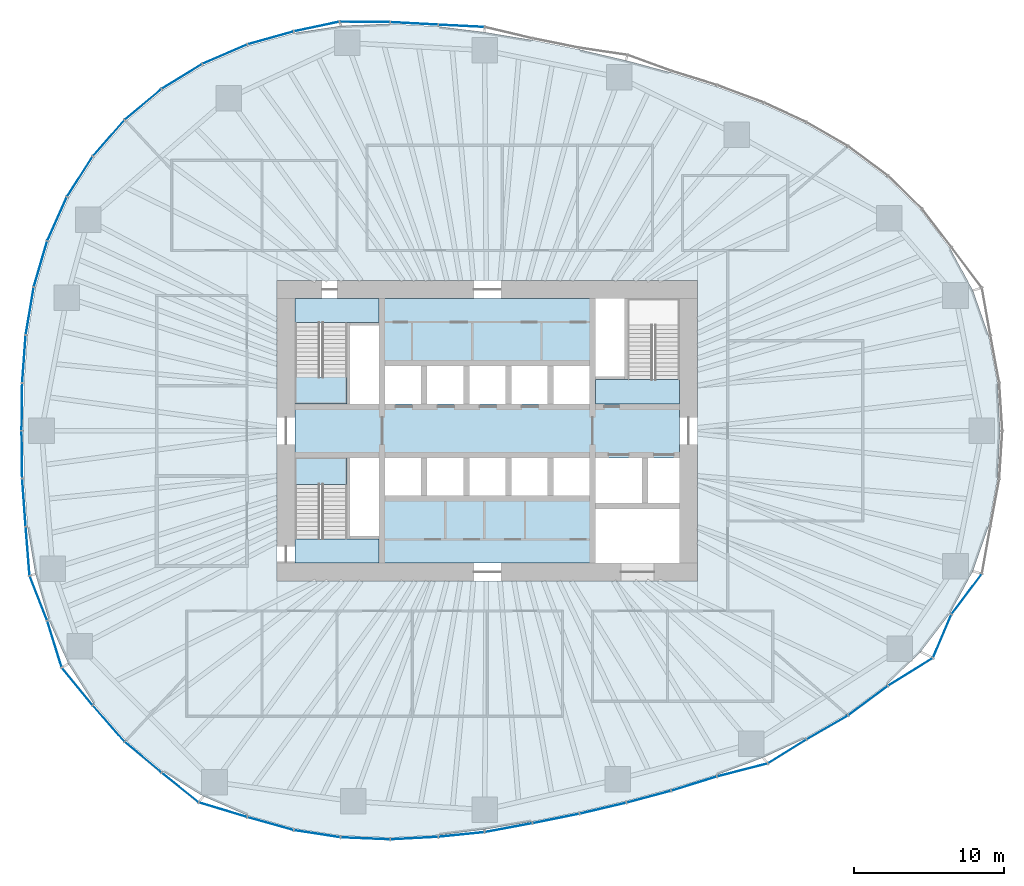
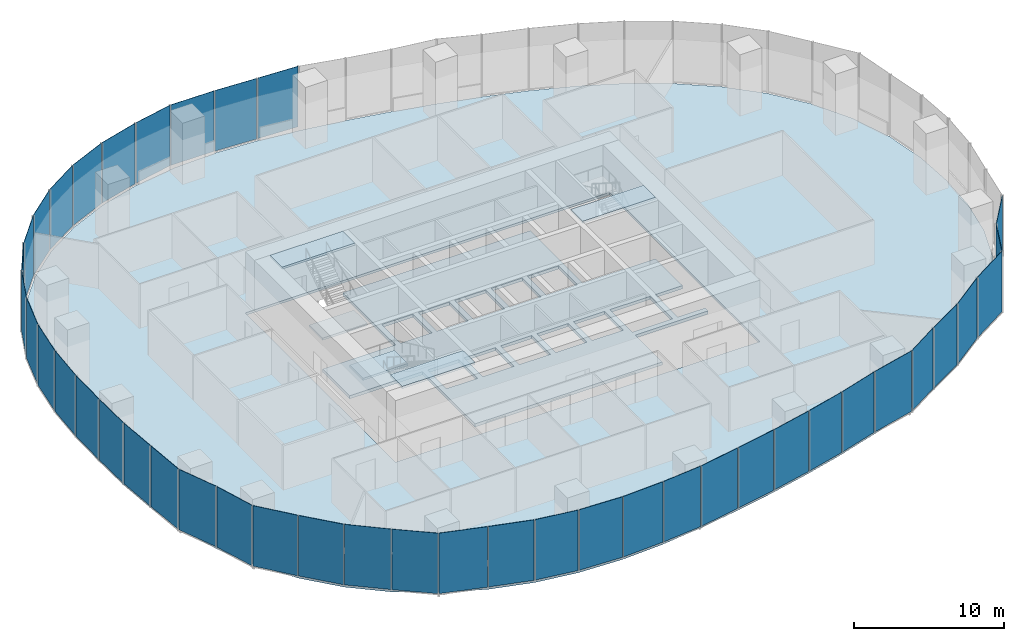
# One storey, part 8 of 20: 42 plates, 7 slabs, 17 elements without a shape of their own.
"""IFC4 building model written with IfcOpenShell, lengths in metres."""

from ifc_helpers import new_model, si_unit, direction, frame, origin, origin_2d, place, context, subcontext, project, spatial, polyline, rectangle, outline, extrude, material, layer, layer_set, type_object, element, aggregate, save


model = new_model("IFC4")

# Units and contexts
model_context = context("Model", 3, precision=1e-05, world=origin(), true_north=direction((0.0, 1.0)))
body_context = subcontext(model_context, "Body", "Model", "MODEL_VIEW")
ifc_project = project(units=[si_unit("LENGTHUNIT", "METRE"), si_unit("AREAUNIT", "SQUARE_METRE"), si_unit("VOLUMEUNIT", "CUBIC_METRE"), si_unit("PLANEANGLEUNIT", "RADIAN"), si_unit("MASSUNIT", "GRAM", prefix="KILO")], contexts=[model_context])

# Site, building, storey
site_placement = place(None, origin())
site = spatial("IfcSite", under=ifc_project, at=site_placement, CompositionType="ELEMENT")
building_placement = place(site_placement, origin())
building = spatial("IfcBuilding", under=site, at=building_placement, Name="Ghaith Harvest Tower", CompositionType="ELEMENT")
storey_placement = place(building_placement, frame((0.0, 0.0, 55.0)))
storey = spatial("IfcBuildingStorey", under=building, at=storey_placement, Name="L11", CompositionType="ELEMENT", Elevation=55.0)

# Curtain wall, plates
ifc_material_1 = material(Name="Black anodised aluminium and fritted glass", Category="aluminium")
curtain_wall_type = type_object("IfcCurtainWallType", Name="CW-F CURTAIN WALL", PredefinedType="NOTDEFINED", material=ifc_material_1)
curtain_wall_1_placement = place(storey_placement, origin())
curtain_wall_1 = element("IfcCurtainWall", 1, at=curtain_wall_1_placement, inside=storey, type_object=curtain_wall_type, Name="Curtain wall CW-F bay 06 L11", PredefinedType="NOTDEFINED")
ifc_material_2 = material(Name="Glass, high-transmission fritted double glazed unit", Category="glass")
ifc_layer_1 = layer(ifc_material_2, 0.028076171875)
ifc_layer_set_1 = layer_set([ifc_layer_1], Name="CW-F VISION PANEL")
plate_type = type_object("IfcPlateType", Name="CW-F VISION PANEL", PredefinedType="CURTAIN_PANEL", material=ifc_layer_set_1)
plate_1_placement = place(storey_placement, frame((-1.722900390625, 26.953369140625, 0.080078125), z_axis=(0.0, 0.0, 1.0), x_axis=(-0.998771443485, 0.049554048048, 0.0)))
plate_1 = element("IfcPlate", 2, at=plate_1_placement, type_object=plate_type, Name="CW-F panel 1 bay 06 L11", PredefinedType="CURTAIN_PANEL", context=body_context, shape_type="SweptSolid", body=[
    extrude(rectangle(XDim=3.001708984375, YDim=0.028076171875, at=origin_2d()), origin(), (0.0, 0.0, 1.0), 4.919921875),
])
plate_2_placement = place(storey_placement, frame((-4.863525390625, 27.11572265625, 0.080078125), z_axis=(0.0, 0.0, 1.0), x_axis=(-0.99856250263, 0.053599704667, 0.0)))
plate_2 = element("IfcPlate", 3, at=plate_2_placement, type_object=plate_type, Name="CW-F panel 2 bay 06 L11", PredefinedType="CURTAIN_PANEL", context=body_context, shape_type="SweptSolid", body=[
    extrude(rectangle(XDim=3.1279296875, YDim=0.028076171875, at=origin_2d()), origin(), (0.0, 0.0, 1.0), 4.919921875),
])
plate_3_placement = place(storey_placement, frame((-8.150390625, 27.217041015625, 0.080078125), z_axis=(0.0, 0.0, 1.0), x_axis=(-0.999959609481, 0.008987736446, 0.0)))
plate_3 = element("IfcPlate", 4, at=plate_3_placement, type_object=plate_type, Name="CW-F panel 3 bay 06 L11", PredefinedType="CURTAIN_PANEL", context=body_context, shape_type="SweptSolid", body=[
    extrude(rectangle(XDim=3.29052734375, YDim=0.028076171875, at=origin_2d()), origin(), (0.0, 0.0, 1.0), 4.919921875),
])
aggregate(curtain_wall_1, [plate_1, plate_2, plate_3])

curtain_wall_2_placement = place(storey_placement, origin())
curtain_wall_2 = element("IfcCurtainWall", 5, at=curtain_wall_2_placement, inside=storey, type_object=curtain_wall_type, Name="Curtain wall CW-F bay 07 L11", PredefinedType="NOTDEFINED")
plate_4_placement = place(storey_placement, frame((-11.358154296875, 26.908447265625, 0.080078125), z_axis=(0.0, 0.0, 1.0), x_axis=(-0.978149320779, -0.207903598476, 0.0)))
plate_4 = element("IfcPlate", 6, at=plate_4_placement, type_object=plate_type, Name="CW-F panel 1 bay 07 L11", PredefinedType="CURTAIN_PANEL", context=body_context, shape_type="SweptSolid", body=[
    extrude(rectangle(XDim=3.032958984375, YDim=0.028076171875, at=origin_2d()), origin(), (0.0, 0.0, 1.0), 4.919921875),
])
plate_5_placement = place(storey_placement, frame((-14.42578125, 26.150634765625, 0.080078125), z_axis=(0.0, 0.0, 1.0), x_axis=(-0.96272968243, -0.270465448012, 0.0)))
plate_5 = element("IfcPlate", 7, at=plate_5_placement, type_object=plate_type, Name="CW-F panel 2 bay 07 L11", PredefinedType="CURTAIN_PANEL", context=body_context, shape_type="SweptSolid", body=[
    extrude(rectangle(XDim=3.13037109375, YDim=0.028076171875, at=origin_2d()), origin(), (0.0, 0.0, 1.0), 4.919921875),
])
plate_6_placement = place(storey_placement, frame((-17.46923828125, 25.0693359375, 0.080078125), z_axis=(0.0, 0.0, 1.0), x_axis=(-0.918002845228, -0.396573796605, 0.0)))
plate_6 = element("IfcPlate", 8, at=plate_6_placement, type_object=plate_type, Name="CW-F panel 3 bay 07 L11", PredefinedType="CURTAIN_PANEL", context=body_context, shape_type="SweptSolid", body=[
    extrude(rectangle(XDim=3.18359375, YDim=0.028076171875, at=origin_2d()), origin(), (0.0, 0.0, 1.0), 4.919921875),
])
aggregate(curtain_wall_2, [plate_4, plate_5, plate_6])

curtain_wall_3_placement = place(storey_placement, origin())
curtain_wall_3 = element("IfcCurtainWall", 9, at=curtain_wall_3_placement, inside=storey, type_object=curtain_wall_type, Name="Curtain wall CW-F bay 08 L11", PredefinedType="NOTDEFINED")
plate_7_placement = place(storey_placement, frame((-20.324462890625, 23.590087890625, 0.080078125), z_axis=(0.0, 0.0, 1.0), x_axis=(-0.852527741552, -0.522681977769, 0.0)))
plate_7 = element("IfcPlate", 10, at=plate_7_placement, type_object=plate_type, Name="CW-F panel 1 bay 08 L11", PredefinedType="CURTAIN_PANEL", context=body_context, shape_type="SweptSolid", body=[
    extrude(rectangle(XDim=3.10400390625, YDim=0.028076171875, at=origin_2d()), origin(), (0.0, 0.0, 1.0), 4.919921875),
])
plate_8_placement = place(storey_placement, frame((-22.91064453125, 21.727294921875, 0.080078125), z_axis=(0.0, 0.0, 1.0), x_axis=(-0.766155215147, -0.642655573619, 0.0)))
plate_8 = element("IfcPlate", 11, at=plate_8_placement, type_object=plate_type, Name="CW-F panel 2 bay 08 L11", PredefinedType="CURTAIN_PANEL", context=body_context, shape_type="SweptSolid", body=[
    extrude(rectangle(XDim=3.1279296875, YDim=0.028076171875, at=origin_2d()), origin(), (0.0, 0.0, 1.0), 4.919921875),
])
plate_9_placement = place(storey_placement, frame((-25.201171875, 19.4853515625, 0.080078125), z_axis=(0.0, 0.0, 1.0), x_axis=(-0.659215937547, -0.751953687194, 0.0)))
plate_9 = element("IfcPlate", 12, at=plate_9_placement, type_object=plate_type, Name="CW-F panel 3 bay 08 L11", PredefinedType="CURTAIN_PANEL", context=body_context, shape_type="SweptSolid", body=[
    extrude(rectangle(XDim=3.1416015625, YDim=0.028076171875, at=origin_2d()), origin(), (0.0, 0.0, 1.0), 4.919921875),
])
aggregate(curtain_wall_3, [plate_7, plate_8, plate_9])

curtain_wall_4_placement = place(storey_placement, origin())
curtain_wall_4 = element("IfcCurtainWall", 13, at=curtain_wall_4_placement, inside=storey, type_object=curtain_wall_type, Name="Curtain wall CW-F bay 09 L11", PredefinedType="NOTDEFINED")
plate_10_placement = place(storey_placement, frame((-27.124755859375, 16.919677734375, 0.080078125), z_axis=(0.0, 0.0, 1.0), x_axis=(-0.536779195227, -0.843722759899, 0.0)))
plate_10 = element("IfcPlate", 14, at=plate_10_placement, type_object=plate_type, Name="CW-F panel 1 bay 09 L11", PredefinedType="CURTAIN_PANEL", context=body_context, shape_type="SweptSolid", body=[
    extrude(rectangle(XDim=3.13037109375, YDim=0.028076171875, at=origin_2d()), origin(), (0.0, 0.0, 1.0), 4.919921875),
])
plate_11_placement = place(storey_placement, frame((-28.639404296875, 14.100341796875, 0.080078125), z_axis=(0.0, 0.0, 1.0), x_axis=(-0.407134417018, -0.913368253488, 0.0)))
plate_11 = element("IfcPlate", 15, at=plate_11_placement, type_object=plate_type, Name="CW-F panel 2 bay 09 L11", PredefinedType="CURTAIN_PANEL", context=body_context, shape_type="SweptSolid", body=[
    extrude(rectangle(XDim=3.1279296875, YDim=0.028076171875, at=origin_2d()), origin(), (0.0, 0.0, 1.0), 4.919921875),
])
plate_12_placement = place(storey_placement, frame((-29.740478515625, 11.101318359375, 0.080078125), z_axis=(0.0, 0.0, 1.0), x_axis=(-0.280296918708, -0.959913348882, 0.0)))
plate_12 = element("IfcPlate", 16, at=plate_12_placement, type_object=plate_type, Name="CW-F panel 3 bay 09 L11", PredefinedType="CURTAIN_PANEL", context=body_context, shape_type="SweptSolid", body=[
    extrude(rectangle(XDim=3.1162109375, YDim=0.028076171875, at=origin_2d()), origin(), (0.0, 0.0, 1.0), 4.919921875),
])
aggregate(curtain_wall_4, [plate_10, plate_11, plate_12])

curtain_wall_5_placement = place(storey_placement, origin())
curtain_wall_5 = element("IfcCurtainWall", 17, at=curtain_wall_5_placement, inside=storey, type_object=curtain_wall_type, Name="Curtain wall CW-F bay 10 L11", PredefinedType="NOTDEFINED")
plate_13_placement = place(storey_placement, frame((-30.456298828125, 7.971435546875, 0.080078125), z_axis=(0.0, 0.0, 1.0), x_axis=(-0.165581316368, -0.986196140567, 0.0)))
plate_13 = element("IfcPlate", 18, at=plate_13_placement, type_object=plate_type, Name="CW-F panel 1 bay 10 L11", PredefinedType="CURTAIN_PANEL", context=body_context, shape_type="SweptSolid", body=[
    extrude(rectangle(XDim=3.156494140625, YDim=0.028076171875, at=origin_2d()), origin(), (0.0, 0.0, 1.0), 4.919921875),
])
plate_14_placement = place(storey_placement, frame((-30.84033203125, 4.77685546875, 0.080078125), z_axis=(0.0, 0.0, 1.0), x_axis=(-0.072420546123, -0.997374184797, 0.0)))
plate_14 = element("IfcPlate", 19, at=plate_14_placement, type_object=plate_type, Name="CW-F panel 2 bay 10 L11", PredefinedType="CURTAIN_PANEL", context=body_context, shape_type="SweptSolid", body=[
    extrude(rectangle(XDim=3.1259765625, YDim=0.028076171875, at=origin_2d()), origin(), (0.0, 0.0, 1.0), 4.919921875),
])
plate_15_placement = place(storey_placement, frame((-30.975830078125, 1.589111328125, 0.080078125), z_axis=(0.0, 0.0, 1.0), x_axis=(-0.012133206476, -0.999926389941, 0.0)))
plate_15 = element("IfcPlate", 20, at=plate_15_placement, type_object=plate_type, Name="CW-F panel 3 bay 10 L11", PredefinedType="CURTAIN_PANEL", context=body_context, shape_type="SweptSolid", body=[
    extrude(rectangle(XDim=3.09814453125, YDim=0.028076171875, at=origin_2d()), origin(), (0.0, 0.0, 1.0), 4.919921875),
])
aggregate(curtain_wall_5, [plate_13, plate_14, plate_15])

curtain_wall_6_placement = place(storey_placement, origin())
curtain_wall_6 = element("IfcCurtainWall", 21, at=curtain_wall_6_placement, inside=storey, type_object=curtain_wall_type, Name="Curtain wall CW-F bay 11 L11", PredefinedType="NOTDEFINED")
plate_16_placement = place(storey_placement, frame((-30.975830078125, -1.589111328125, 0.080078125), z_axis=(0.0, 0.0, 1.0), x_axis=(0.012133206773, -0.999926389937, 0.0)))
plate_16 = element("IfcPlate", 22, at=plate_16_placement, type_object=plate_type, Name="CW-F panel 1 bay 11 L11", PredefinedType="CURTAIN_PANEL", context=body_context, shape_type="SweptSolid", body=[
    extrude(rectangle(XDim=3.09814453125, YDim=0.028076171875, at=origin_2d()), origin(), (0.0, 0.0, 1.0), 4.919921875),
])
plate_17_placement = place(storey_placement, frame((-30.84033203125, -4.77685546875, 0.080078125), z_axis=(0.0, 0.0, 1.0), x_axis=(0.072420546349, -0.99737418478, 0.0)))
plate_17 = element("IfcPlate", 23, at=plate_17_placement, type_object=plate_type, Name="CW-F panel 2 bay 11 L11", PredefinedType="CURTAIN_PANEL", context=body_context, shape_type="SweptSolid", body=[
    extrude(rectangle(XDim=3.1259765625, YDim=0.028076171875, at=origin_2d()), origin(), (0.0, 0.0, 1.0), 4.919921875),
])
plate_18_placement = place(storey_placement, frame((-30.594482421875, -8.01513671875, 0.080078125), z_axis=(0.0, 0.0, 1.0), x_axis=(0.078867084181, -0.996885140341, 0.0)))
plate_18 = element("IfcPlate", 24, at=plate_18_placement, type_object=plate_type, Name="CW-F panel 3 bay 11 L11", PredefinedType="CURTAIN_PANEL", context=body_context, shape_type="SweptSolid", body=[
    extrude(rectangle(XDim=3.209716796875, YDim=0.028076171875, at=origin_2d()), origin(), (0.0, 0.0, 1.0), 4.919921875),
])
aggregate(curtain_wall_6, [plate_16, plate_17, plate_18])

curtain_wall_7_placement = place(storey_placement, origin())
curtain_wall_7 = element("IfcCurtainWall", 25, at=curtain_wall_7_placement, inside=storey, type_object=curtain_wall_type, Name="Curtain wall CW-F bay 12 L11", PredefinedType="NOTDEFINED")
plate_19_placement = place(storey_placement, frame((-29.878662109375, -11.14501953125, 0.080078125), z_axis=(0.0, 0.0, 1.0), x_axis=(0.366039738151, -0.930599220983, 0.0)))
plate_19 = element("IfcPlate", 26, at=plate_19_placement, type_object=plate_type, Name="CW-F panel 1 bay 12 L11", PredefinedType="CURTAIN_PANEL", context=body_context, shape_type="SweptSolid", body=[
    extrude(rectangle(XDim=3.122802734375, YDim=0.028076171875, at=origin_2d()), origin(), (0.0, 0.0, 1.0), 4.919921875),
])
plate_20_placement = place(storey_placement, frame((-28.809814453125, -14.195068359375, 0.080078125), z_axis=(0.0, 0.0, 1.0), x_axis=(0.295583054454, -0.95531704576, 0.0)))
plate_20 = element("IfcPlate", 27, at=plate_20_placement, type_object=plate_type, Name="CW-F panel 2 bay 12 L11", PredefinedType="CURTAIN_PANEL", context=body_context, shape_type="SweptSolid", body=[
    extrude(rectangle(XDim=3.185546875, YDim=0.028076171875, at=origin_2d()), origin(), (0.0, 0.0, 1.0), 4.919921875),
])
plate_21_placement = place(storey_placement, frame((-27.295166015625, -17.014404296875, 0.080078125), z_axis=(0.0, 0.0, 1.0), x_axis=(0.633789860881, -0.773505276158, 0.0)))
plate_21 = element("IfcPlate", 28, at=plate_21_placement, type_object=plate_type, Name="CW-F panel 3 bay 12 L11", PredefinedType="CURTAIN_PANEL", context=body_context, shape_type="SweptSolid", body=[
    extrude(rectangle(XDim=3.1767578125, YDim=0.028076171875, at=origin_2d()), origin(), (0.0, 0.0, 1.0), 4.919921875),
])
aggregate(curtain_wall_7, [plate_19, plate_20, plate_21])

curtain_wall_8_placement = place(storey_placement, origin())
curtain_wall_8 = element("IfcCurtainWall", 29, at=curtain_wall_8_placement, inside=storey, type_object=curtain_wall_type, Name="Curtain wall CW-F bay 13 L11", PredefinedType="NOTDEFINED")
plate_22_placement = place(storey_placement, frame((-25.201171875, -19.4853515625, 0.080078125), z_axis=(0.0, 0.0, 1.0), x_axis=(0.659215937337, -0.751953687378, 0.0)))
plate_22 = element("IfcPlate", 30, at=plate_22_placement, type_object=plate_type, Name="CW-F panel 1 bay 13 L11", PredefinedType="CURTAIN_PANEL", context=body_context, shape_type="SweptSolid", body=[
    extrude(rectangle(XDim=3.1416015625, YDim=0.028076171875, at=origin_2d()), origin(), (0.0, 0.0, 1.0), 4.919921875),
])
plate_23_placement = place(storey_placement, frame((-22.91064453125, -21.727294921875, 0.080078125), z_axis=(0.0, 0.0, 1.0), x_axis=(0.76615521545, -0.642655573258, 0.0)))
plate_23 = element("IfcPlate", 31, at=plate_23_placement, type_object=plate_type, Name="CW-F panel 2 bay 13 L11", PredefinedType="CURTAIN_PANEL", context=body_context, shape_type="SweptSolid", body=[
    extrude(rectangle(XDim=3.1279296875, YDim=0.028076171875, at=origin_2d()), origin(), (0.0, 0.0, 1.0), 4.919921875),
])
plate_24_placement = place(storey_placement, frame((-20.447265625, -23.748046875, 0.080078125), z_axis=(0.0, 0.0, 1.0), x_axis=(0.780122054158, -0.625627349639, 0.0)))
plate_24 = element("IfcPlate", 32, at=plate_24_placement, type_object=plate_type, Name="CW-F panel 3 bay 13 L11", PredefinedType="CURTAIN_PANEL", context=body_context, shape_type="SweptSolid", body=[
    extrude(rectangle(XDim=3.085205078125, YDim=0.028076171875, at=origin_2d()), origin(), (0.0, 0.0, 1.0), 4.919921875),
])
aggregate(curtain_wall_8, [plate_22, plate_23, plate_24])

curtain_wall_9_placement = place(storey_placement, origin())
curtain_wall_9 = element("IfcCurtainWall", 33, at=curtain_wall_9_placement, inside=storey, type_object=curtain_wall_type, Name="Curtain wall CW-F bay 14 L11", PredefinedType="NOTDEFINED")
plate_25_placement = place(storey_placement, frame((-17.591796875, -25.227294921875, 0.080078125), z_axis=(0.0, 0.0, 1.0), x_axis=(0.95734234218, -0.288956121011, 0.0)))
plate_25 = element("IfcPlate", 34, at=plate_25_placement, type_object=plate_type, Name="CW-F panel 1 bay 14 L11", PredefinedType="CURTAIN_PANEL", context=body_context, shape_type="SweptSolid", body=[
    extrude(rectangle(XDim=3.3056640625, YDim=0.028076171875, at=origin_2d()), origin(), (0.0, 0.0, 1.0), 4.919921875),
])
plate_26_placement = place(storey_placement, frame((-14.42578125, -26.150634765625, 0.080078125), z_axis=(0.0, 0.0, 1.0), x_axis=(0.962729682704, -0.270465447038, 0.0)))
plate_26 = element("IfcPlate", 35, at=plate_26_placement, type_object=plate_type, Name="CW-F panel 2 bay 14 L11", PredefinedType="CURTAIN_PANEL", context=body_context, shape_type="SweptSolid", body=[
    extrude(rectangle(XDim=3.13037109375, YDim=0.028076171875, at=origin_2d()), origin(), (0.0, 0.0, 1.0), 4.919921875),
])
plate_27_placement = place(storey_placement, frame((-11.327392578125, -26.82373046875, 0.080078125), z_axis=(0.0, 0.0, 1.0), x_axis=(0.98836987371, -0.152069039392, 0.0)))
plate_27 = element("IfcPlate", 36, at=plate_27_placement, type_object=plate_type, Name="CW-F panel 3 bay 14 L11", PredefinedType="CURTAIN_PANEL", context=body_context, shape_type="SweptSolid", body=[
    extrude(rectangle(XDim=3.0625, YDim=0.028076171875, at=origin_2d()), origin(), (0.0, 0.0, 1.0), 4.919921875),
])
aggregate(curtain_wall_9, [plate_25, plate_26, plate_27])

curtain_wall_10_placement = place(storey_placement, origin())
curtain_wall_10 = element("IfcCurtainWall", 37, at=curtain_wall_10_placement, inside=storey, type_object=curtain_wall_type, Name="Curtain wall CW-F bay 15 L11", PredefinedType="NOTDEFINED")
plate_28_placement = place(storey_placement, frame((-8.119873046875, -27.13232421875, 0.080078125), z_axis=(0.0, 0.0, 1.0), x_axis=(0.999118988518, -0.041967210794, 0.0)))
plate_28 = element("IfcPlate", 38, at=plate_28_placement, type_object=plate_type, Name="CW-F panel 1 bay 15 L11", PredefinedType="CURTAIN_PANEL", context=body_context, shape_type="SweptSolid", body=[
    extrude(rectangle(XDim=3.232177734375, YDim=0.028076171875, at=origin_2d()), origin(), (0.0, 0.0, 1.0), 4.919921875),
])
plate_29_placement = place(storey_placement, frame((-4.863525390625, -27.11572265625, 0.080078125), z_axis=(0.0, 0.0, 1.0), x_axis=(0.998562502616, 0.053599704928, 0.0)))
plate_29 = element("IfcPlate", 39, at=plate_29_placement, type_object=plate_type, Name="CW-F panel 2 bay 15 L11", PredefinedType="CURTAIN_PANEL", context=body_context, shape_type="SweptSolid", body=[
    extrude(rectangle(XDim=3.1279296875, YDim=0.028076171875, at=origin_2d()), origin(), (0.0, 0.0, 1.0), 4.919921875),
])
plate_30_placement = place(storey_placement, frame((-1.722412109375, -26.87353515625, 0.080078125), z_axis=(0.0, 0.0, 1.0), x_axis=(0.99488222177, 0.101041401443, 0.0)))
plate_30 = element("IfcPlate", 40, at=plate_30_placement, type_object=plate_type, Name="CW-F panel 3 bay 15 L11", PredefinedType="CURTAIN_PANEL", context=body_context, shape_type="SweptSolid", body=[
    extrude(rectangle(XDim=3.014892578125, YDim=0.028076171875, at=origin_2d()), origin(), (0.0, 0.0, 1.0), 4.919921875),
])
aggregate(curtain_wall_10, [plate_28, plate_29, plate_30])

curtain_wall_11_placement = place(storey_placement, origin())
curtain_wall_11 = element("IfcCurtainWall", 41, at=curtain_wall_11_placement, inside=storey, type_object=curtain_wall_type, Name="Curtain wall CW-F bay 16 L11", PredefinedType="NOTDEFINED")
plate_31_placement = place(storey_placement, frame((1.4130859375, -26.420166015625, 0.080078125), z_axis=(0.0, 0.0, 1.0), x_axis=(0.983131230266, 0.182901569365, 0.0)))
plate_31 = element("IfcPlate", 42, at=plate_31_placement, type_object=plate_type, Name="CW-F panel 1 bay 16 L11", PredefinedType="CURTAIN_PANEL", context=body_context, shape_type="SweptSolid", body=[
    extrude(rectangle(XDim=3.166748046875, YDim=0.028076171875, at=origin_2d()), origin(), (0.0, 0.0, 1.0), 4.919921875),
])
plate_32_placement = place(storey_placement, frame((4.5732421875, -25.809326171875, 0.080078125), z_axis=(0.0, 0.0, 1.0), x_axis=(0.98043234808, 0.196856320293, 0.0)))
plate_32 = element("IfcPlate", 43, at=plate_32_placement, type_object=plate_type, Name="CW-F panel 2 bay 16 L11", PredefinedType="CURTAIN_PANEL", context=body_context, shape_type="SweptSolid", body=[
    extrude(rectangle(XDim=3.1103515625, YDim=0.028076171875, at=origin_2d()), origin(), (0.0, 0.0, 1.0), 4.919921875),
])
plate_33_placement = place(storey_placement, frame((7.697265625, -25.129150390625, 0.080078125), z_axis=(0.0, 0.0, 1.0), x_axis=(0.973564757908, 0.228411169079, 0.0)))
plate_33 = element("IfcPlate", 44, at=plate_33_placement, type_object=plate_type, Name="CW-F panel 3 bay 16 L11", PredefinedType="CURTAIN_PANEL", context=body_context, shape_type="SweptSolid", body=[
    extrude(rectangle(XDim=3.125, YDim=0.028076171875, at=origin_2d()), origin(), (0.0, 0.0, 1.0), 4.919921875),
])
aggregate(curtain_wall_11, [plate_31, plate_32, plate_33])

curtain_wall_12_placement = place(storey_placement, origin())
curtain_wall_12 = element("IfcCurtainWall", 45, at=curtain_wall_12_placement, inside=storey, type_object=curtain_wall_type, Name="Curtain wall CW-F bay 17 L11", PredefinedType="NOTDEFINED")
plate_34_placement = place(storey_placement, frame((10.745849609375, -24.36376953125, 0.080078125), z_axis=(0.0, 0.0, 1.0), x_axis=(0.965848435029, 0.259107700681, 0.0)))
plate_34 = element("IfcPlate", 46, at=plate_34_placement, type_object=plate_type, Name="CW-F panel 1 bay 17 L11", PredefinedType="CURTAIN_PANEL", context=body_context, shape_type="SweptSolid", body=[
    extrude(rectangle(XDim=3.002197265625, YDim=0.028076171875, at=origin_2d()), origin(), (0.0, 0.0, 1.0), 4.919921875),
])
plate_35_placement = place(storey_placement, frame((13.760986328125, -23.490234375, 0.080078125), z_axis=(0.0, 0.0, 1.0), x_axis=(0.954988265447, 0.296643578827, 0.0)))
plate_35 = element("IfcPlate", 47, at=plate_35_placement, type_object=plate_type, Name="CW-F panel 2 bay 17 L11", PredefinedType="CURTAIN_PANEL", context=body_context, shape_type="SweptSolid", body=[
    extrude(rectangle(XDim=3.1171875, YDim=0.028076171875, at=origin_2d()), origin(), (0.0, 0.0, 1.0), 4.919921875),
])
plate_36_placement = place(storey_placement, frame((16.980712890625, -22.580322265625, 0.080078125), z_axis=(0.0, 0.0, 1.0), x_axis=(0.968451429434, 0.249202385275, 0.0)))
plate_36 = element("IfcPlate", 48, at=plate_36_placement, type_object=plate_type, Name="CW-F panel 3 bay 17 L11", PredefinedType="CURTAIN_PANEL", context=body_context, shape_type="SweptSolid", body=[
    extrude(rectangle(XDim=3.416748046875, YDim=0.028076171875, at=origin_2d()), origin(), (0.0, 0.0, 1.0), 4.919921875),
])
aggregate(curtain_wall_12, [plate_34, plate_35, plate_36])

curtain_wall_13_placement = place(storey_placement, origin())
curtain_wall_13 = element("IfcCurtainWall", 49, at=curtain_wall_13_placement, inside=storey, type_object=curtain_wall_type, Name="Curtain wall CW-F bay 18 L11", PredefinedType="NOTDEFINED")
plate_37_placement = place(storey_placement, frame((19.954833984375, -21.348876953125, 0.080078125), z_axis=(0.0, 0.0, 1.0), x_axis=(0.849360700005, 0.527812846837, 0.0)))
plate_37 = element("IfcPlate", 50, at=plate_37_placement, type_object=plate_type, Name="CW-F panel 1 bay 18 L11", PredefinedType="CURTAIN_PANEL", context=body_context, shape_type="SweptSolid", body=[
    extrude(rectangle(XDim=2.935791015625, YDim=0.028076171875, at=origin_2d()), origin(), (0.0, 0.0, 1.0), 4.919921875),
])
plate_38_placement = place(storey_placement, frame((22.626953125, -19.750244140625, 0.080078125), z_axis=(0.0, 0.0, 1.0), x_axis=(0.866159208454, 0.499768171866, 0.0)))
plate_38 = element("IfcPlate", 51, at=plate_38_placement, type_object=plate_type, Name="CW-F panel 2 bay 18 L11", PredefinedType="CURTAIN_PANEL", context=body_context, shape_type="SweptSolid", body=[
    extrude(rectangle(XDim=3.1328125, YDim=0.028076171875, at=origin_2d()), origin(), (0.0, 0.0, 1.0), 4.919921875),
])
plate_39_placement = place(storey_placement, frame((25.34619140625, -17.96142578125, 0.080078125), z_axis=(0.0, 0.0, 1.0), x_axis=(0.802866788713, 0.596158468515, 0.0)))
plate_39 = element("IfcPlate", 52, at=plate_39_placement, type_object=plate_type, Name="CW-F panel 3 bay 18 L11", PredefinedType="CURTAIN_PANEL", context=body_context, shape_type="SweptSolid", body=[
    extrude(rectangle(XDim=3.2275390625, YDim=0.028076171875, at=origin_2d()), origin(), (0.0, 0.0, 1.0), 4.919921875),
])
aggregate(curtain_wall_13, [plate_37, plate_38, plate_39])

curtain_wall_14_placement = place(storey_placement, origin())
curtain_wall_14 = element("IfcCurtainWall", 53, at=curtain_wall_14_placement, inside=storey, type_object=curtain_wall_type, Name="Curtain wall CW-F bay 19 L11", PredefinedType="NOTDEFINED")
plate_40_placement = place(storey_placement, frame((28.166748046875, -16.05126953125, 0.080078125), z_axis=(0.0, 0.0, 1.0), x_axis=(0.850245604669, 0.526386181184, 0.0)))
plate_40 = element("IfcPlate", 54, at=plate_40_placement, type_object=plate_type, Name="CW-F panel 1 bay 19 L11", PredefinedType="CURTAIN_PANEL", context=body_context, shape_type="SweptSolid", body=[
    extrude(rectangle(XDim=3.431884765625, YDim=0.028076171875, at=origin_2d()), origin(), (0.0, 0.0, 1.0), 4.919921875),
])
plate_41_placement = place(storey_placement, frame((30.2783203125, -13.6708984375, 0.080078125), z_axis=(0.0, 0.0, 1.0), x_axis=(0.390980294296, 0.920399049039, 0.0)))
plate_41 = element("IfcPlate", 55, at=plate_41_placement, type_object=plate_type, Name="CW-F panel 2 bay 19 L11", PredefinedType="CURTAIN_PANEL", context=body_context, shape_type="SweptSolid", body=[
    extrude(rectangle(XDim=3.083740234375, YDim=0.028076171875, at=origin_2d()), origin(), (0.0, 0.0, 1.0), 4.919921875),
])
plate_42_placement = place(storey_placement, frame((31.91015625, -10.865234375, 0.080078125), z_axis=(0.0, 0.0, 1.0), x_axis=(0.600454091429, 0.799659229976, 0.0)))
plate_42 = element("IfcPlate", 56, at=plate_42_placement, type_object=plate_type, Name="CW-F panel 3 bay 19 L11", PredefinedType="CURTAIN_PANEL", context=body_context, shape_type="SweptSolid", body=[
    extrude(rectangle(XDim=3.295654296875, YDim=0.028076171875, at=origin_2d()), origin(), (0.0, 0.0, 1.0), 4.919921875),
])
aggregate(curtain_wall_14, [plate_40, plate_41, plate_42])

# Slabs
ifc_material_3 = material(Name="Concrete C40/50", Category="concrete")
ifc_layer_2 = layer(ifc_material_3, 0.199951171875)
ifc_layer_set_2 = layer_set([ifc_layer_2], Name="FLOOR SLAB 200")
slab_type_1 = type_object("IfcSlabType", Name="FLOOR SLAB 200", PredefinedType="FLOOR", material=ifc_layer_set_2)
slab_1_placement = place(storey_placement, frame((0.0, 0.0, -0.199951171875)))
element("IfcSlab", 57, at=slab_1_placement, inside=storey, type_object=slab_type_1, Name="Floor slab L11", PredefinedType="FLOOR", context=body_context, shape_type="SweptSolid", body=[
    extrude(outline(polyline([(34.125, 0.0), (33.95849609375, 3.194091796875), (33.37158203125, 6.333984375), (32.318359375, 9.3408203125), (30.78515625, 12.1708984375), (28.840087890625, 14.708984375), (26.572509765625, 16.9111328125), (23.92431640625, 18.873046875), (21.149169921875, 20.469482421875), (18.34521484375, 21.7548828125), (15.22119140625, 22.916259765625), (12.1796875, 23.857666015625), (9.21533203125, 24.65087890625), (6.10888671875, 25.378662109375), (2.99560546875, 26.004150390625), (-0.181396484375, 26.527099609375), (-3.24755859375, 26.91064453125), (-6.4375, 27.0849609375), (-9.733642578125, 26.949951171875), (-12.828125, 26.476806640625), (-15.907958984375, 25.614501953125), (-18.8935546875, 24.32763671875), (-21.59912109375, 22.671142578125), (-24.04833984375, 20.618408203125), (-26.16455078125, 18.20556640625), (-27.881591796875, 15.507080078125), (-29.182373046875, 12.587890625), (-30.073974609375, 9.531005859375), (-30.606689453125, 6.35107421875), (-30.837158203125, 3.165771484375), (-30.875, 0.0), (-30.837158203125, -3.165771484375), (-30.606689453125, -6.35107421875), (-30.073974609375, -9.531005859375), (-29.182373046875, -12.587890625), (-27.881591796875, -15.507080078125), (-26.16455078125, -18.20556640625), (-24.04833984375, -20.618408203125), (-21.59912109375, -22.671142578125), (-18.8935546875, -24.32763671875), (-15.907958984375, -25.614501953125), (-12.828125, -26.476806640625), (-9.733642578125, -26.949951171875), (-6.4375, -27.0849609375), (-3.24755859375, -26.91064453125), (-0.181396484375, -26.527099609375), (2.99560546875, -26.004150390625), (6.10888671875, -25.378662109375), (9.21533203125, -24.65087890625), (12.1796875, -23.857666015625), (15.22119140625, -22.916259765625), (18.34521484375, -21.7548828125), (21.149169921875, -20.469482421875), (23.92431640625, -18.873046875), (26.572509765625, -16.9111328125), (28.840087890625, -14.708984375), (30.78515625, -12.1708984375), (32.318359375, -9.3408203125), (33.37158203125, -6.333984375), (33.95849609375, -3.194091796875), (34.125, 0.0)]), holes=[polyline([(-14.0, -10.0), (14.0, -10.0), (14.0, 10.0), (-14.0, 10.0), (-14.0, -10.0)])]), origin(), (0.0, 0.0, 1.0), 0.199951171875),
])
ifc_material_4 = material(Name="Concrete C40/50", Category="concrete")
ifc_layer_3 = layer(ifc_material_4, 0.25)
ifc_layer_set_3 = layer_set([ifc_layer_3], Name="FLOOR SLAB 250")
slab_type_2 = type_object("IfcSlabType", Name="FLOOR SLAB 250", PredefinedType="FLOOR", material=ifc_layer_set_3)
slab_2_placement = place(storey_placement, frame((0.0, 0.0, -0.25)))
element("IfcSlab", 58, at=slab_2_placement, inside=storey, type_object=slab_type_2, Name="Core slab L11", PredefinedType="FLOOR", context=body_context, shape_type="SweptSolid", body=[
    extrude(outline(polyline([(-12.800048828125, 1.800048828125), (-7.199951171875, 1.800048828125), (-7.199951171875, 8.800048828125), (7.199951171875, 8.800048828125), (7.199951171875, 1.800048828125), (12.800048828125, 1.800048828125), (12.800048828125, -1.800048828125), (10.699951171875, -1.800048828125), (10.699951171875, -4.800048828125), (12.800048828125, -4.800048828125), (12.800048828125, -5.199951171875), (7.199951171875, -5.199951171875), (7.199951171875, -8.800048828125), (-7.199951171875, -8.800048828125), (-7.199951171875, -1.800048828125), (-12.800048828125, -1.800048828125), (-12.800048828125, 1.800048828125)]), holes=[polyline([(-4.39990234375, -4.300048828125), (-4.39990234375, -1.800048828125), (-6.800048828125, -1.800048828125), (-6.800048828125, -4.300048828125), (-4.39990234375, -4.300048828125)]), polyline([(-1.60009765625, -4.300048828125), (-1.60009765625, -1.800048828125), (-4.0, -1.800048828125), (-4.0, -4.300048828125), (-1.60009765625, -4.300048828125)]), polyline([(1.199951171875, -4.300048828125), (1.199951171875, -1.800048828125), (-1.199951171875, -1.800048828125), (-1.199951171875, -4.300048828125), (1.199951171875, -4.300048828125)]), polyline([(-4.39990234375, 1.800048828125), (-4.39990234375, 4.300048828125), (-6.800048828125, 4.300048828125), (-6.800048828125, 1.800048828125), (-4.39990234375, 1.800048828125)]), polyline([(-1.60009765625, 1.800048828125), (-1.60009765625, 4.300048828125), (-4.0, 4.300048828125), (-4.0, 1.800048828125), (-1.60009765625, 1.800048828125)]), polyline([(1.199951171875, 1.800048828125), (1.199951171875, 4.300048828125), (-1.199951171875, 4.300048828125), (-1.199951171875, 1.800048828125), (1.199951171875, 1.800048828125)]), polyline([(10.300048828125, -4.800048828125), (10.300048828125, -1.800048828125), (7.199951171875, -1.800048828125), (7.199951171875, -4.800048828125), (10.300048828125, -4.800048828125)]), polyline([(4.0, -4.300048828125), (4.0, -1.800048828125), (1.60009765625, -1.800048828125), (1.60009765625, -4.300048828125), (4.0, -4.300048828125)]), polyline([(6.800048828125, -4.300048828125), (6.800048828125, -1.800048828125), (4.39990234375, -1.800048828125), (4.39990234375, -4.300048828125), (6.800048828125, -4.300048828125)]), polyline([(4.0, 1.800048828125), (4.0, 4.300048828125), (1.60009765625, 4.300048828125), (1.60009765625, 1.800048828125), (4.0, 1.800048828125)]), polyline([(6.800048828125, 1.800048828125), (6.800048828125, 4.300048828125), (4.39990234375, 4.300048828125), (4.39990234375, 1.800048828125), (6.800048828125, 1.800048828125)])]), origin(), (0.0, 0.0, 1.0), 0.25),
])

# Stair, slabs
ifc_material_5 = material(Name="Concrete C40/50, precast", Category="concrete")
stair_type = type_object("IfcStairType", Name="CORE STAIR 28R", PredefinedType="HALF_TURN_STAIR", material=ifc_material_5)
stair_1_placement = place(storey_placement, origin())
stair_1 = element("IfcStair", 59, at=stair_1_placement, inside=storey, type_object=stair_type, Name="Stair ST1 L11", PredefinedType="HALF_TURN_STAIR")
ifc_material_6 = material(Name="Concrete C40/50, precast", Category="concrete")
ifc_layer_4 = layer(ifc_material_6, 0.179931640625)
ifc_layer_set_4 = layer_set([ifc_layer_4], Name="STAIR LANDING 180")
slab_type_3 = type_object("IfcSlabType", Name="STAIR LANDING 180", PredefinedType="LANDING", material=ifc_layer_set_4)
slab_3_placement = place(storey_placement, frame((0.0, 0.0, 2.320068359375)))
slab_3 = element("IfcSlab", 60, at=slab_3_placement, type_object=slab_type_3, Name="ST1 landing 1", PredefinedType="LANDING", context=body_context, shape_type="SweptSolid", body=[
    extrude(outline(polyline([(-12.800048828125, 3.580078125), (-12.800048828125, 1.800048828125), (-9.35009765625, 1.800048828125), (-9.35009765625, 3.580078125), (-12.800048828125, 3.580078125)])), origin(), (0.0, 0.0, 1.0), 0.179931640625),
])
slab_4_placement = place(storey_placement, frame((0.0, 0.0, 4.820068359375)))
slab_4 = element("IfcSlab", 61, at=slab_4_placement, type_object=slab_type_3, Name="ST1 landing 2", PredefinedType="LANDING", context=body_context, shape_type="SweptSolid", body=[
    extrude(outline(polyline([(-12.800048828125, 8.800048828125), (-12.800048828125, 7.199951171875), (-7.199951171875, 7.199951171875), (-7.199951171875, 8.800048828125), (-12.800048828125, 8.800048828125)])), origin(), (0.0, 0.0, 1.0), 0.179931640625),
])
aggregate(stair_1, [slab_3, slab_4])

stair_2_placement = place(storey_placement, origin())
stair_2 = element("IfcStair", 62, at=stair_2_placement, inside=storey, type_object=stair_type, Name="Stair ST3 L11", PredefinedType="HALF_TURN_STAIR")
slab_5_placement = place(storey_placement, frame((0.0, 0.0, 2.320068359375)))
slab_5 = element("IfcSlab", 63, at=slab_5_placement, type_object=slab_type_3, Name="ST3 landing 1", PredefinedType="LANDING", context=body_context, shape_type="SweptSolid", body=[
    extrude(outline(polyline([(-12.800048828125, -3.580078125), (-12.800048828125, -1.800048828125), (-9.35009765625, -1.800048828125), (-9.35009765625, -3.580078125), (-12.800048828125, -3.580078125)])), origin(), (0.0, 0.0, 1.0), 0.179931640625),
])
slab_6_placement = place(storey_placement, frame((0.0, 0.0, 4.820068359375)))
slab_6 = element("IfcSlab", 64, at=slab_6_placement, type_object=slab_type_3, Name="ST3 landing 2", PredefinedType="LANDING", context=body_context, shape_type="SweptSolid", body=[
    extrude(outline(polyline([(-12.800048828125, -8.800048828125), (-12.800048828125, -7.199951171875), (-7.199951171875, -7.199951171875), (-7.199951171875, -8.800048828125), (-12.800048828125, -8.800048828125)])), origin(), (0.0, 0.0, 1.0), 0.179931640625),
])
aggregate(stair_2, [slab_5, slab_6])

# Stair, slab
stair_3_placement = place(storey_placement, origin())
stair_3 = element("IfcStair", 65, at=stair_3_placement, inside=storey, type_object=stair_type, Name="Stair ST2 L11", PredefinedType="HALF_TURN_STAIR")
slab_7_placement = place(storey_placement, frame((0.0, 0.0, 4.820068359375)))
slab_7 = element("IfcSlab", 66, at=slab_7_placement, type_object=slab_type_3, Name="ST2 landing 2", PredefinedType="LANDING", context=body_context, shape_type="SweptSolid", body=[
    extrude(outline(polyline([(12.800048828125, 1.800048828125), (12.800048828125, 3.39990234375), (7.199951171875, 3.39990234375), (7.199951171875, 1.800048828125), (12.800048828125, 1.800048828125)])), origin(), (0.0, 0.0, 1.0), 0.179931640625),
])
aggregate(stair_3, [slab_7])

save(model, "model.ifc")
